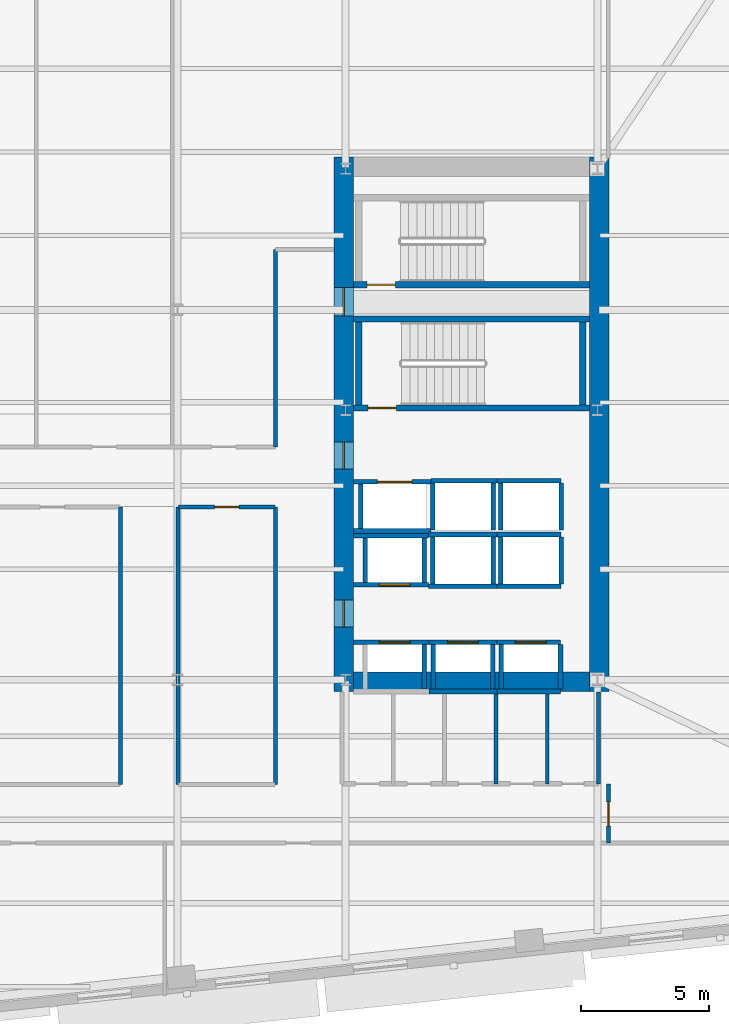
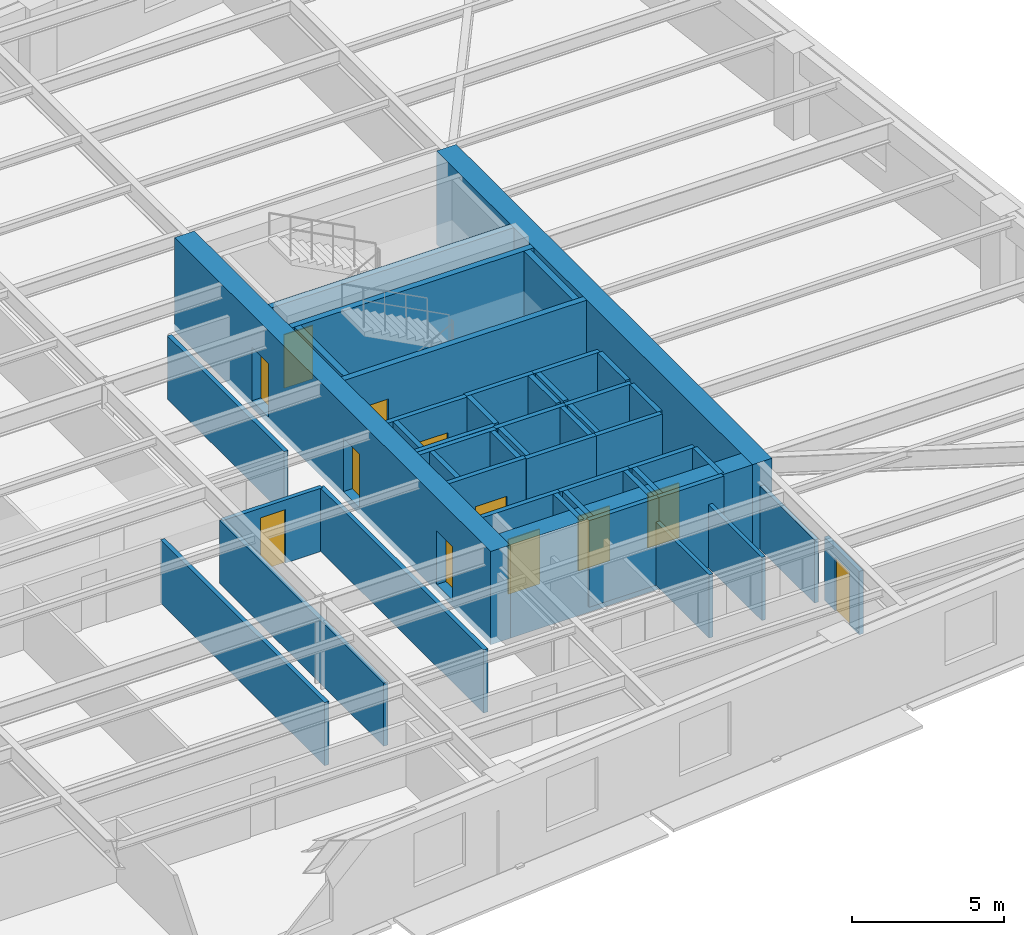
# One storey, part 6 of 15: 48 walls, 12 doors, 12 openings.
"""IFC4 building model written with IfcOpenShell, lengths in metres."""

from ifc_helpers import new_model, si_unit, direction, frame, frame_2d, origin, place, context, subcontext, project, spatial, rectangle, extrude, material, layer, layer_set, type_object, element, fill, save


model = new_model("IFC4")

# Units and contexts
model_context = context("Model", 3, precision=1e-05, world=origin(), true_north=direction((0.0, 1.0)))
body_context = subcontext(model_context, "Body", "Model", "MODEL_VIEW")
ifc_project = project(units=[si_unit("LENGTHUNIT", "METRE"), si_unit("AREAUNIT", "SQUARE_METRE"), si_unit("VOLUMEUNIT", "CUBIC_METRE"), si_unit("PLANEANGLEUNIT", "RADIAN"), si_unit("MASSUNIT", "GRAM", prefix="KILO")], contexts=[model_context])

# Site, building, storey
site_placement = place(None, origin())
site = spatial("IfcSite", under=ifc_project, at=site_placement, CompositionType="ELEMENT")
building_placement = place(site_placement, origin())
building = spatial("IfcBuilding", under=site, at=building_placement, Name="Kolvaren Arena Tower", CompositionType="ELEMENT")
storey_placement = place(building_placement, frame((0.0, 0.0, 118.449951171875)))
storey = spatial("IfcBuildingStorey", under=building, at=storey_placement, Name="L27", CompositionType="ELEMENT", Elevation=118.449951171875)

# Wall, opening, door
ifc_material_1 = material(Name="Gypsum board acoustic assembly", Category="gypsum")
ifc_layer_1 = layer(ifc_material_1, 0.159912109375)
ifc_layer_set_1 = layer_set([ifc_layer_1], Name="Gypsum board acoustic assembly")
wall_type_1 = type_object("IfcWallType", Name="CORR-160", PredefinedType="PARTITIONING", material=ifc_layer_set_1)
wall_1_placement = place(storey_placement, frame((44.0400390625, 26.179931640625, 0.0), z_axis=(0.0, 0.0, 1.0), x_axis=(1.0, 0.0, 0.0)))
wall_1 = element("IfcWall", 1, at=wall_1_placement, inside=storey, type_object=wall_type_1, Name="Interior Partition Wall (L27)", PredefinedType="PARTITIONING", context=body_context, shape_type="SweptSolid", body=[
    extrude(rectangle(XDim=3.760009765625, YDim=0.159912109375, at=frame_2d((1.8798828125, 0.0))), origin(), (0.0, 0.0, 1.0), 2.5400390625),
])
opening_1_placement = place(wall_1_placement, frame((1.405029296875, 0.0, 0.0)))
opening_1 = element("IfcOpeningElement", 2, at=opening_1_placement, cuts=wall_1, Name="Opening D05", PredefinedType="OPENING", context=body_context, shape_type="SweptSolid", body=[
    extrude(rectangle(XDim=0.949951171875, YDim=2.14990234375, at=frame_2d((0.47509765625, 1.074951171875))), frame((0.0, 0.08984375, 0.0), z_axis=(0.0, -1.0, 0.0), x_axis=(1.0, 0.0, 0.0)), (0.0, 0.0, 1.0), 0.179931640625),
])
ifc_material_2 = material(Name="Solid-core oak acoustic office door", Category="wood")
door_type_1 = type_object("IfcDoorType", Name="DOOR-OF-095", OperationType="NOTDEFINED", PredefinedType="DOOR", material=ifc_material_2)
door_1_placement = place(opening_1_placement, origin())
door_1 = element("IfcDoor", 3, at=door_1_placement, inside=storey, type_object=door_type_1, Name="Copy and Print Room Door (L27)", OperationType="SINGLE_SWING_RIGHT", OverallHeight=2.14990234375, OverallWidth=0.949951171875, PredefinedType="DOOR", context=body_context, shape_type="SweptSolid", body=[
    extrude(rectangle(XDim=0.949951171875, YDim=2.14990234375, at=frame_2d((0.47509765625, 1.074951171875))), frame((0.0, 0.02490234375, 0.0), z_axis=(0.0, -1.0, 0.0), x_axis=(1.0, 0.0, 0.0)), (0.0, 0.0, 1.0), 0.050048828125),
])
fill(opening_1, door_1)

# Walls
for number, where, z_axis, x_axis, name in (
    (4, (41.780029296875, 15.3798828125, 0.0), (0.0, 0.0, 1.0), (0.0, 1.0, 0.0), "Interior Partition Wall (L27)"),
    (5, (44.02001953125, 15.3798828125, 0.0), (0.0, 0.0, 1.0), (0.0, 1.0, 0.0), "Interior Partition Wall (L27)"),
    (6, (47.820068359375, 15.3798828125, 0.0), (0.0, 0.0, 1.0), (0.0, 1.0, 0.0), "Interior Partition Wall (L27)"),
):
    element("IfcWall", number, at=place(storey_placement, frame(where, z_axis=z_axis, x_axis=x_axis)), inside=storey, type_object=wall_type_1, Name=name, PredefinedType="PARTITIONING", context=body_context, shape_type="SweptSolid", body=[
        extrude(rectangle(XDim=10.800048828125, YDim=0.159912109375, at=frame_2d((5.39990234375, 0.0))), origin(), (0.0, 0.0, 1.0), 2.5400390625),
    ])
wall_2_placement = place(storey_placement, frame((47.820068359375, 28.52001953125, 0.0), z_axis=(0.0, 0.0, 1.0), x_axis=(0.0, 1.0, 0.0)))
element("IfcWall", 7, at=wall_2_placement, inside=storey, type_object=wall_type_1, Name="Interior Partition Wall (L27)", PredefinedType="PARTITIONING", context=body_context, shape_type="SweptSolid", body=[
    extrude(rectangle(XDim=7.679931640625, YDim=0.159912109375, at=frame_2d((3.83984375, 0.0))), origin(), (0.0, 0.0, 1.0), 2.5400390625),
])

# Wall, opening, door
wall_3_placement = place(storey_placement, frame((60.780029296875, 13.10009765625, 0.0), z_axis=(0.0, 0.0, 1.0), x_axis=(0.0, 1.0, 0.0)))
wall_3 = element("IfcWall", 8, at=wall_3_placement, inside=storey, type_object=wall_type_1, Name="Interior Partition Wall (L27)", PredefinedType="PARTITIONING", context=body_context, shape_type="SweptSolid", body=[
    extrude(rectangle(XDim=2.2998046875, YDim=0.159912109375, at=frame_2d((1.14990234375, 0.0))), origin(), (0.0, 0.0, 1.0), 2.5400390625),
])
opening_2_placement = place(wall_3_placement, frame((0.64990234375, 0.0, 0.0)))
opening_2 = element("IfcOpeningElement", 9, at=opening_2_placement, cuts=wall_3, Name="Opening D05", PredefinedType="OPENING", context=body_context, shape_type="SweptSolid", body=[
    extrude(rectangle(XDim=0.949951171875, YDim=2.14990234375, at=frame_2d((0.47509765625, 1.074951171875))), frame((0.0, 0.08984375, 0.0), z_axis=(0.0, -1.0, 0.0), x_axis=(1.0, 0.0, 0.0)), (0.0, 0.0, 1.0), 0.179931640625),
])
door_2_placement = place(opening_2_placement, origin())
door_2 = element("IfcDoor", 10, at=door_2_placement, inside=storey, type_object=door_type_1, Name="East Wing Studio Door (L27)", OperationType="SINGLE_SWING_RIGHT", OverallHeight=2.14990234375, OverallWidth=0.949951171875, PredefinedType="DOOR", context=body_context, shape_type="SweptSolid", body=[
    extrude(rectangle(XDim=0.949951171875, YDim=2.14990234375, at=frame_2d((0.47509765625, 1.074951171875))), frame((0.0, 0.02490234375, 0.0), z_axis=(0.0, -1.0, 0.0), x_axis=(1.0, 0.0, 0.0)), (0.0, 0.0, 1.0), 0.050048828125),
])
fill(opening_2, door_2)

# Wall, openings, doors
ifc_material_3 = material(Name="Concrete 70 MPa", Category="concrete")
ifc_layer_2 = layer(ifc_material_3, 0.75)
ifc_layer_set_2 = layer_set([ifc_layer_2], Name="Concrete 70 MPa")
wall_type_2 = type_object("IfcWallType", Name="CWALL-750", PredefinedType="SHEAR", material=ifc_layer_set_2)
wall_4_placement = place(storey_placement, frame((50.47509765625, 19.0, -0.27001953125), z_axis=(0.0, 0.0, 1.0), x_axis=(0.0, 1.0, 0.0)))
wall_4 = element("IfcWall", 11, at=wall_4_placement, inside=storey, type_object=wall_type_2, Name="Core Shear Wall EC-WEST (L27)", PredefinedType="SHEAR", context=body_context, shape_type="SweptSolid", body=[
    extrude(rectangle(XDim=20.800048828125, YDim=0.75, at=frame_2d((10.39990234375, 0.0))), origin(), (0.0, 0.0, 1.0), 3.75),
])
opening_3_placement = place(wall_4_placement, frame((2.5, 0.0, 0.27001953125)))
opening_3 = element("IfcOpeningElement", 12, at=opening_3_placement, cuts=wall_4, Name="Opening D04", PredefinedType="OPENING", context=body_context, shape_type="SweptSolid", body=[
    extrude(rectangle(XDim=1.050048828125, YDim=2.14990234375, at=frame_2d((0.52490234375, 1.074951171875))), frame((0.0, 0.385009765625, 0.0), z_axis=(0.0, -1.0, 0.0), x_axis=(1.0, 0.0, 0.0)), (0.0, 0.0, 1.0), 0.77001953125),
])
opening_4_placement = place(wall_4_placement, frame((8.64990234375, 0.0, 0.27001953125)))
opening_4 = element("IfcOpeningElement", 13, at=opening_4_placement, cuts=wall_4, Name="Opening D04", PredefinedType="OPENING", context=body_context, shape_type="SweptSolid", body=[
    extrude(rectangle(XDim=1.050048828125, YDim=2.14990234375, at=frame_2d((0.52490234375, 1.074951171875))), frame((0.0, 0.385009765625, 0.0), z_axis=(0.0, -1.0, 0.0), x_axis=(1.0, 0.0, 0.0)), (0.0, 0.0, 1.0), 0.77001953125),
])
opening_5_placement = place(wall_4_placement, frame((14.6201171875, 0.0, 0.27001953125)))
opening_5 = element("IfcOpeningElement", 14, at=opening_5_placement, cuts=wall_4, Name="Opening D03", PredefinedType="OPENING", context=body_context, shape_type="SweptSolid", body=[
    extrude(rectangle(XDim=1.10009765625, YDim=2.14990234375, at=frame_2d((0.550048828125, 1.074951171875))), frame((0.0, 0.385009765625, 0.0), z_axis=(0.0, -1.0, 0.0), x_axis=(1.0, 0.0, 0.0)), (0.0, 0.0, 1.0), 0.77001953125),
])
ifc_material_4 = material(Name="Fire-rated steel lobby door", Category="steel")
door_type_2 = type_object("IfcDoorType", Name="DOOR-FF-105", OperationType="NOTDEFINED", PredefinedType="DOOR", material=ifc_material_4)
door_3_placement = place(opening_3_placement, origin())
door_3 = element("IfcDoor", 15, at=door_3_placement, inside=storey, type_object=door_type_2, Name="East Lift Lobby Fire Door (L27)", OperationType="SINGLE_SWING_RIGHT", OverallHeight=2.14990234375, OverallWidth=1.050048828125, PredefinedType="DOOR", context=body_context, shape_type="SweptSolid", body=[
    extrude(rectangle(XDim=1.050048828125, YDim=2.14990234375, at=frame_2d((0.52490234375, 1.074951171875))), frame((0.0, 0.02490234375, 0.0), z_axis=(0.0, -1.0, 0.0), x_axis=(1.0, 0.0, 0.0)), (0.0, 0.0, 1.0), 0.050048828125),
])
fill(opening_3, door_3)
door_4_placement = place(opening_4_placement, origin())
door_4 = element("IfcDoor", 16, at=door_4_placement, inside=storey, type_object=door_type_2, Name="East Firefighter Vestibule Door (L27)", OperationType="SINGLE_SWING_LEFT", OverallHeight=2.14990234375, OverallWidth=1.050048828125, PredefinedType="DOOR", context=body_context, shape_type="SweptSolid", body=[
    extrude(rectangle(XDim=1.050048828125, YDim=2.14990234375, at=frame_2d((0.52490234375, 1.074951171875))), frame((0.0, 0.02490234375, 0.0), z_axis=(0.0, -1.0, 0.0), x_axis=(1.0, 0.0, 0.0)), (0.0, 0.0, 1.0), 0.050048828125),
])
fill(opening_4, door_4)
ifc_material_5 = material(Name="Fire-rated steel exit stair door", Category="steel")
door_type_3 = type_object("IfcDoorType", Name="DOOR-ST-110", OperationType="NOTDEFINED", PredefinedType="DOOR", material=ifc_material_5)
door_5_placement = place(opening_5_placement, origin())
door_5 = element("IfcDoor", 17, at=door_5_placement, inside=storey, type_object=door_type_3, Name="Stair ST-E2 Vestibule Fire Door (L27)", OperationType="SINGLE_SWING_LEFT", OverallHeight=2.14990234375, OverallWidth=1.10009765625, PredefinedType="DOOR", context=body_context, shape_type="SweptSolid", body=[
    extrude(rectangle(XDim=1.10009765625, YDim=2.14990234375, at=frame_2d((0.550048828125, 1.074951171875))), frame((0.0, 0.02490234375, 0.0), z_axis=(0.0, -1.0, 0.0), x_axis=(1.0, 0.0, 0.0)), (0.0, 0.0, 1.0), 0.050048828125),
])
fill(opening_5, door_5)

# Walls
wall_5_placement = place(storey_placement, frame((60.425048828125, 19.0, -0.27001953125), z_axis=(0.0, 0.0, 1.0), x_axis=(0.0, 1.0, 0.0)))
element("IfcWall", 18, at=wall_5_placement, inside=storey, type_object=wall_type_2, Name="Core Shear Wall EC-EAST (L27)", PredefinedType="SHEAR", context=body_context, shape_type="SweptSolid", body=[
    extrude(rectangle(XDim=20.800048828125, YDim=0.75, at=frame_2d((10.39990234375, 0.0))), origin(), (0.0, 0.0, 1.0), 3.75),
])
wall_6_placement = place(storey_placement, frame((50.85009765625, 19.375, -0.27001953125), z_axis=(0.0, 0.0, 1.0), x_axis=(1.0, 0.0, 0.0)))
element("IfcWall", 19, at=wall_6_placement, inside=storey, type_object=wall_type_2, Name="Core Shear Wall EC-SOUTH (L27)", PredefinedType="SHEAR", context=body_context, shape_type="SweptSolid", body=[
    extrude(rectangle(XDim=9.199951171875, YDim=0.75, at=frame_2d((4.60009765625, 0.0))), origin(), (0.0, 0.0, 1.0), 3.75),
])

# Wall, opening, door
ifc_material_6 = material(Name="Concrete 45 MPa", Category="concrete")
ifc_layer_3 = layer(ifc_material_6, 0.25)
ifc_layer_set_3 = layer_set([ifc_layer_3], Name="Concrete 45 MPa")
wall_type_3 = type_object("IfcWallType", Name="SHAFT-250", PredefinedType="SOLIDWALL", material=ifc_layer_set_3)
wall_7_placement = place(storey_placement, frame((60.050048828125, 30.030029296875, 0.0), z_axis=(0.0, 0.0, 1.0), x_axis=(-1.0, 0.0, 0.0)))
wall_7 = element("IfcWall", 20, at=wall_7_placement, inside=storey, type_object=wall_type_3, Name="Core Shaft Wall (L27)", PredefinedType="SOLIDWALL", context=body_context, shape_type="SweptSolid", body=[
    extrude(rectangle(XDim=9.199951171875, YDim=0.239990234375, at=frame_2d((4.60009765625, 0.0))), origin(), (0.0, 0.0, 1.0), 3.47998046875),
])
opening_6_placement = place(wall_7_placement, frame((7.530029296875, 0.0, 0.0)))
opening_6 = element("IfcOpeningElement", 21, at=opening_6_placement, cuts=wall_7, Name="Opening D03", PredefinedType="OPENING", context=body_context, shape_type="SweptSolid", body=[
    extrude(rectangle(XDim=1.10009765625, YDim=2.14990234375, at=frame_2d((0.550048828125, 1.074951171875))), frame((0.0, 0.1298828125, 0.0), z_axis=(0.0, -1.0, 0.0), x_axis=(1.0, 0.0, 0.0)), (0.0, 0.0, 1.0), 0.260009765625),
])
door_6_placement = place(opening_6_placement, origin())
door_6 = element("IfcDoor", 22, at=door_6_placement, inside=storey, type_object=door_type_3, Name="Stair ST-E1 Fire Door (L27)", OperationType="SINGLE_SWING_LEFT", OverallHeight=2.14990234375, OverallWidth=1.10009765625, PredefinedType="DOOR", context=body_context, shape_type="SweptSolid", body=[
    extrude(rectangle(XDim=1.10009765625, YDim=2.14990234375, at=frame_2d((0.550048828125, 1.074951171875))), frame((0.0, 0.02490234375, 0.0), z_axis=(0.0, -1.0, 0.0), x_axis=(1.0, 0.0, 0.0)), (0.0, 0.0, 1.0), 0.050048828125),
])
fill(opening_6, door_6)

# Walls
wall_8_placement = place(storey_placement, frame((50.85009765625, 33.5, 0.0), z_axis=(0.0, 0.0, 1.0), x_axis=(1.0, 0.0, 0.0)))
element("IfcWall", 23, at=wall_8_placement, inside=storey, type_object=wall_type_3, Name="Core Shaft Wall (L27)", PredefinedType="SOLIDWALL", context=body_context, shape_type="SweptSolid", body=[
    extrude(rectangle(XDim=9.199951171875, YDim=0.239990234375, at=frame_2d((4.60009765625, 0.0))), origin(), (0.0, 0.0, 1.0), 3.47998046875),
])
for number, where, z_axis, x_axis, name in (
    (24, (51.06005859375, 30.14990234375, 0.0), (0.0, 0.0, 1.0), (0.0, 1.0, 0.0), "Core Shaft Wall (L27)"),
    (25, (59.780029296875, 30.14990234375, 0.0), (0.0, 0.0, 1.0), (0.0, 1.0, 0.0), "Core Shaft Wall (L27)"),
):
    element("IfcWall", number, at=place(storey_placement, frame(where, z_axis=z_axis, x_axis=x_axis)), inside=storey, type_object=wall_type_3, Name=name, PredefinedType="SOLIDWALL", context=body_context, shape_type="SweptSolid", body=[
        extrude(rectangle(XDim=3.22998046875, YDim=0.239990234375, at=frame_2d((1.614990234375, 0.0))), origin(), (0.0, 0.0, 1.0), 3.47998046875),
    ])

# Wall, opening, door
wall_9_placement = place(storey_placement, frame((60.050048828125, 34.830078125, 0.0), z_axis=(0.0, 0.0, 1.0), x_axis=(-1.0, 0.0, 0.0)))
wall_9 = element("IfcWall", 26, at=wall_9_placement, inside=storey, type_object=wall_type_3, Name="Core Shaft Wall (L27)", PredefinedType="SOLIDWALL", context=body_context, shape_type="SweptSolid", body=[
    extrude(rectangle(XDim=9.199951171875, YDim=0.239990234375, at=frame_2d((4.60009765625, 0.0))), origin(), (0.0, 0.0, 1.0), 3.47998046875),
])
opening_7_placement = place(wall_9_placement, frame((7.570068359375, 0.0, 0.0)))
opening_7 = element("IfcOpeningElement", 27, at=opening_7_placement, cuts=wall_9, Name="Opening D03", PredefinedType="OPENING", context=body_context, shape_type="SweptSolid", body=[
    extrude(rectangle(XDim=1.10009765625, YDim=2.14990234375, at=frame_2d((0.550048828125, 1.074951171875))), frame((0.0, 0.1298828125, 0.0), z_axis=(0.0, -1.0, 0.0), x_axis=(1.0, 0.0, 0.0)), (0.0, 0.0, 1.0), 0.260009765625),
])
door_7_placement = place(opening_7_placement, origin())
door_7 = element("IfcDoor", 28, at=door_7_placement, inside=storey, type_object=door_type_3, Name="Stair ST-E2 Fire Door (L27)", OperationType="SINGLE_SWING_LEFT", OverallHeight=2.14990234375, OverallWidth=1.10009765625, PredefinedType="DOOR", context=body_context, shape_type="SweptSolid", body=[
    extrude(rectangle(XDim=1.10009765625, YDim=2.14990234375, at=frame_2d((0.550048828125, 1.074951171875))), frame((0.0, 0.02490234375, 0.0), z_axis=(0.0, -1.0, 0.0), x_axis=(1.0, 0.0, 0.0)), (0.0, 0.0, 1.0), 0.050048828125),
])
fill(opening_7, door_7)

wall_10_placement = place(storey_placement, frame((50.85009765625, 20.905029296875, 0.0), z_axis=(0.0, 0.0, 1.0), x_axis=(1.0, 0.0, 0.0)))
wall_10 = element("IfcWall", 29, at=wall_10_placement, inside=storey, type_object=wall_type_3, Name="Core Shaft Wall (L27)", PredefinedType="SOLIDWALL", context=body_context, shape_type="SweptSolid", body=[
    extrude(rectangle(XDim=2.93994140625, YDim=0.179931640625, at=frame_2d((1.469970703125, 0.0))), origin(), (0.0, 0.0, 1.0), 3.47998046875),
])
opening_8_placement = place(wall_10_placement, frame((1.010009765625, 0.0, 0.0)))
opening_8 = element("IfcOpeningElement", 30, at=opening_8_placement, cuts=wall_10, Name="Opening LD1", PredefinedType="OPENING", context=body_context, shape_type="SweptSolid", body=[
    extrude(rectangle(XDim=1.199951171875, YDim=2.199951171875, at=frame_2d((0.60009765625, 1.10009765625))), frame((0.0, 0.099853515625, 0.0), z_axis=(0.0, -1.0, 0.0), x_axis=(1.0, 0.0, 0.0)), (0.0, 0.0, 1.0), 0.199951171875),
])
ifc_material_7 = material(Name="Stainless steel passenger lift landing door", Category="steel")
door_type_4 = type_object("IfcDoorType", Name="DOOR-LD-120", OperationType="DOUBLE_DOOR_SLIDING", PredefinedType="DOOR", material=ifc_material_7)
door_8_placement = place(opening_8_placement, origin())
door_8 = element("IfcDoor", 31, at=door_8_placement, inside=storey, type_object=door_type_4, Name="Lift EL-LR1 Landing Door (L27)", OperationType="DOUBLE_DOOR_SLIDING", OverallHeight=2.199951171875, OverallWidth=1.199951171875, PredefinedType="DOOR", context=body_context, shape_type="SweptSolid", body=[
    extrude(rectangle(XDim=1.199951171875, YDim=2.199951171875, at=frame_2d((0.60009765625, 1.10009765625))), frame((0.0, 0.02490234375, 0.0), z_axis=(0.0, -1.0, 0.0), x_axis=(1.0, 0.0, 0.0)), (0.0, 0.0, 1.0), 0.050048828125),
])
fill(opening_8, door_8)

# Wall
wall_11_placement = place(storey_placement, frame((53.614990234375, 19.0849609375, 0.0), z_axis=(0.0, 0.0, 1.0), x_axis=(0.0, 1.0, 0.0)))
element("IfcWall", 32, at=wall_11_placement, inside=storey, type_object=wall_type_3, Name="Core Shaft Wall (L27)", PredefinedType="SOLIDWALL", context=body_context, shape_type="SweptSolid", body=[
    extrude(rectangle(XDim=1.72998046875, YDim=0.179931640625, at=frame_2d((0.864990234375, 0.0))), origin(), (0.0, 0.0, 1.0), 3.47998046875),
])

# Wall, opening, door
wall_12_placement = place(storey_placement, frame((53.7900390625, 20.905029296875, 0.0), z_axis=(0.0, 0.0, 1.0), x_axis=(1.0, 0.0, 0.0)))
wall_12 = element("IfcWall", 33, at=wall_12_placement, inside=storey, type_object=wall_type_3, Name="Core Shaft Wall (L27)", PredefinedType="SOLIDWALL", context=body_context, shape_type="SweptSolid", body=[
    extrude(rectangle(XDim=2.64990234375, YDim=0.179931640625, at=frame_2d((1.324951171875, 0.0))), origin(), (0.0, 0.0, 1.0), 3.47998046875),
])
opening_9_placement = place(wall_12_placement, frame((0.72998046875, 0.0, 0.0)))
opening_9 = element("IfcOpeningElement", 34, at=opening_9_placement, cuts=wall_12, Name="Opening LD1", PredefinedType="OPENING", context=body_context, shape_type="SweptSolid", body=[
    extrude(rectangle(XDim=1.199951171875, YDim=2.199951171875, at=frame_2d((0.60009765625, 1.10009765625))), frame((0.0, 0.099853515625, 0.0), z_axis=(0.0, -1.0, 0.0), x_axis=(1.0, 0.0, 0.0)), (0.0, 0.0, 1.0), 0.199951171875),
])
door_9_placement = place(opening_9_placement, origin())
door_9 = element("IfcDoor", 35, at=door_9_placement, inside=storey, type_object=door_type_4, Name="Lift EL-LR2 Landing Door (L27)", OperationType="DOUBLE_DOOR_SLIDING", OverallHeight=2.199951171875, OverallWidth=1.199951171875, PredefinedType="DOOR", context=body_context, shape_type="SweptSolid", body=[
    extrude(rectangle(XDim=1.199951171875, YDim=2.199951171875, at=frame_2d((0.60009765625, 1.10009765625))), frame((0.0, 0.02490234375, 0.0), z_axis=(0.0, -1.0, 0.0), x_axis=(1.0, 0.0, 0.0)), (0.0, 0.0, 1.0), 0.050048828125),
])
fill(opening_9, door_9)

# Walls
wall_13_placement = place(storey_placement, frame((53.7900390625, 18.9951171875, 0.0), z_axis=(0.0, 0.0, 1.0), x_axis=(1.0, 0.0, 0.0)))
element("IfcWall", 36, at=wall_13_placement, inside=storey, type_object=wall_type_3, Name="Core Shaft Wall (L27)", PredefinedType="SOLIDWALL", context=body_context, shape_type="SweptSolid", body=[
    extrude(rectangle(XDim=2.64990234375, YDim=0.179931640625, at=frame_2d((1.324951171875, 0.0))), origin(), (0.0, 0.0, 1.0), 3.47998046875),
])
for number, where, z_axis, x_axis, name in (
    (37, (53.965087890625, 19.0849609375, 0.0), (0.0, 0.0, 1.0), (0.0, 1.0, 0.0), "Core Shaft Wall (L27)"),
    (38, (56.27490234375, 19.0849609375, 0.0), (0.0, 0.0, 1.0), (0.0, 1.0, 0.0), "Core Shaft Wall (L27)"),
):
    element("IfcWall", number, at=place(storey_placement, frame(where, z_axis=z_axis, x_axis=x_axis)), inside=storey, type_object=wall_type_3, Name=name, PredefinedType="SOLIDWALL", context=body_context, shape_type="SweptSolid", body=[
        extrude(rectangle(XDim=1.72998046875, YDim=0.179931640625, at=frame_2d((0.864990234375, 0.0))), origin(), (0.0, 0.0, 1.0), 3.47998046875),
    ])

# Wall, opening, door
wall_14_placement = place(storey_placement, frame((56.43994140625, 20.905029296875, 0.0), z_axis=(0.0, 0.0, 1.0), x_axis=(1.0, 0.0, 0.0)))
wall_14 = element("IfcWall", 39, at=wall_14_placement, inside=storey, type_object=wall_type_3, Name="Core Shaft Wall (L27)", PredefinedType="SOLIDWALL", context=body_context, shape_type="SweptSolid", body=[
    extrude(rectangle(XDim=2.47509765625, YDim=0.179931640625, at=frame_2d((1.237548828125, 0.0))), origin(), (0.0, 0.0, 1.0), 3.47998046875),
])
opening_10_placement = place(wall_14_placement, frame((0.719970703125, 0.0, 0.0)))
opening_10 = element("IfcOpeningElement", 40, at=opening_10_placement, cuts=wall_14, Name="Opening LD1", PredefinedType="OPENING", context=body_context, shape_type="SweptSolid", body=[
    extrude(rectangle(XDim=1.199951171875, YDim=2.199951171875, at=frame_2d((0.60009765625, 1.10009765625))), frame((0.0, 0.099853515625, 0.0), z_axis=(0.0, -1.0, 0.0), x_axis=(1.0, 0.0, 0.0)), (0.0, 0.0, 1.0), 0.199951171875),
])
door_10_placement = place(opening_10_placement, origin())
door_10 = element("IfcDoor", 41, at=door_10_placement, inside=storey, type_object=door_type_4, Name="Lift EL-LR3 Landing Door (L27)", OperationType="DOUBLE_DOOR_SLIDING", OverallHeight=2.199951171875, OverallWidth=1.199951171875, PredefinedType="DOOR", context=body_context, shape_type="SweptSolid", body=[
    extrude(rectangle(XDim=1.199951171875, YDim=2.199951171875, at=frame_2d((0.60009765625, 1.10009765625))), frame((0.0, 0.02490234375, 0.0), z_axis=(0.0, -1.0, 0.0), x_axis=(1.0, 0.0, 0.0)), (0.0, 0.0, 1.0), 0.050048828125),
])
fill(opening_10, door_10)

# Walls
wall_15_placement = place(storey_placement, frame((56.43994140625, 18.9951171875, 0.0), z_axis=(0.0, 0.0, 1.0), x_axis=(1.0, 0.0, 0.0)))
element("IfcWall", 42, at=wall_15_placement, inside=storey, type_object=wall_type_3, Name="Core Shaft Wall (L27)", PredefinedType="SOLIDWALL", context=body_context, shape_type="SweptSolid", body=[
    extrude(rectangle(XDim=2.47509765625, YDim=0.179931640625, at=frame_2d((1.237548828125, 0.0))), origin(), (0.0, 0.0, 1.0), 3.47998046875),
])
for number, where, z_axis, x_axis, name in (
    (43, (56.60498046875, 19.0849609375, 0.0), (0.0, 0.0, 1.0), (0.0, 1.0, 0.0), "Core Shaft Wall (L27)"),
    (44, (58.9150390625, 19.0849609375, 0.0), (0.0, 0.0, 1.0), (0.0, 1.0, 0.0), "Core Shaft Wall (L27)"),
):
    element("IfcWall", number, at=place(storey_placement, frame(where, z_axis=z_axis, x_axis=x_axis)), inside=storey, type_object=wall_type_3, Name=name, PredefinedType="SOLIDWALL", context=body_context, shape_type="SweptSolid", body=[
        extrude(rectangle(XDim=1.72998046875, YDim=0.179931640625, at=frame_2d((0.864990234375, 0.0))), origin(), (0.0, 0.0, 1.0), 3.47998046875),
    ])
wall_16_placement = place(storey_placement, frame((50.85009765625, 25.054931640625, 0.0), z_axis=(0.0, 0.0, 1.0), x_axis=(1.0, 0.0, 0.0)))
element("IfcWall", 45, at=wall_16_placement, inside=storey, type_object=wall_type_3, Name="Core Shaft Wall (L27)", PredefinedType="SOLIDWALL", context=body_context, shape_type="SweptSolid", body=[
    extrude(rectangle(XDim=2.927490234375, YDim=0.179931640625, at=frame_2d((1.4638671875, 0.0))), origin(), (0.0, 0.0, 1.0), 3.47998046875),
])

# Wall, opening, door
wall_17_placement = place(storey_placement, frame((50.85009765625, 23.14501953125, 0.0), z_axis=(0.0, 0.0, 1.0), x_axis=(1.0, 0.0, 0.0)))
wall_17 = element("IfcWall", 46, at=wall_17_placement, inside=storey, type_object=wall_type_3, Name="Core Shaft Wall (L27)", PredefinedType="SOLIDWALL", context=body_context, shape_type="SweptSolid", body=[
    extrude(rectangle(XDim=2.927490234375, YDim=0.179931640625, at=frame_2d((1.4638671875, 0.0))), origin(), (0.0, 0.0, 1.0), 3.47998046875),
])
opening_11_placement = place(wall_17_placement, frame((1.010009765625, 0.0, 0.0)))
opening_11 = element("IfcOpeningElement", 47, at=opening_11_placement, cuts=wall_17, Name="Opening LD1", PredefinedType="OPENING", context=body_context, shape_type="SweptSolid", body=[
    extrude(rectangle(XDim=1.199951171875, YDim=2.199951171875, at=frame_2d((0.60009765625, 1.10009765625))), frame((0.0, 0.099853515625, 0.0), z_axis=(0.0, -1.0, 0.0), x_axis=(1.0, 0.0, 0.0)), (0.0, 0.0, 1.0), 0.199951171875),
])
door_11_placement = place(opening_11_placement, origin())
door_11 = element("IfcDoor", 48, at=door_11_placement, inside=storey, type_object=door_type_4, Name="Lift EL-LR4 Landing Door (L27)", OperationType="DOUBLE_DOOR_SLIDING", OverallHeight=2.199951171875, OverallWidth=1.199951171875, PredefinedType="DOOR", context=body_context, shape_type="SweptSolid", body=[
    extrude(rectangle(XDim=1.199951171875, YDim=2.199951171875, at=frame_2d((0.60009765625, 1.10009765625))), frame((0.0, 0.02490234375, 0.0), z_axis=(0.0, -1.0, 0.0), x_axis=(1.0, 0.0, 0.0)), (0.0, 0.0, 1.0), 0.050048828125),
])
fill(opening_11, door_11)

# Walls
for number, where, z_axis, x_axis, name in (
    (49, (51.304931640625, 23.235107421875, 0.0), (0.0, 0.0, 1.0), (0.0, 1.0, 0.0), "Core Shaft Wall (L27)"),
    (50, (53.614990234375, 23.235107421875, 0.0), (0.0, 0.0, 1.0), (0.0, 1.0, 0.0), "Core Shaft Wall (L27)"),
):
    element("IfcWall", number, at=place(storey_placement, frame(where, z_axis=z_axis, x_axis=x_axis)), inside=storey, type_object=wall_type_3, Name=name, PredefinedType="SOLIDWALL", context=body_context, shape_type="SweptSolid", body=[
        extrude(rectangle(XDim=1.72998046875, YDim=0.179931640625, at=frame_2d((0.864990234375, 0.0))), origin(), (0.0, 0.0, 1.0), 3.47998046875),
    ])
for number, where, z_axis, x_axis, name in (
    (51, (53.777587890625, 25.10498046875, 0.0), (0.0, 0.0, 1.0), (1.0, 0.0, 0.0), "Core Shaft Wall (L27)"),
    (52, (53.777587890625, 23.094970703125, 0.0), (0.0, 0.0, 1.0), (1.0, 0.0, 0.0), "Core Shaft Wall (L27)"),
):
    element("IfcWall", number, at=place(storey_placement, frame(where, z_axis=z_axis, x_axis=x_axis)), inside=storey, type_object=wall_type_3, Name=name, PredefinedType="SOLIDWALL", context=body_context, shape_type="SweptSolid", body=[
        extrude(rectangle(XDim=2.662353515625, YDim=0.179931640625, at=frame_2d((1.3310546875, 0.0))), origin(), (0.0, 0.0, 1.0), 3.47998046875),
    ])
for number, where, z_axis, x_axis, name in (
    (53, (53.93994140625, 23.18505859375, 0.0), (0.0, 0.0, 1.0), (0.0, 1.0, 0.0), "Core Shaft Wall (L27)"),
    (54, (56.300048828125, 23.18505859375, 0.0), (0.0, 0.0, 1.0), (0.0, 1.0, 0.0), "Core Shaft Wall (L27)"),
):
    element("IfcWall", number, at=place(storey_placement, frame(where, z_axis=z_axis, x_axis=x_axis)), inside=storey, type_object=wall_type_3, Name=name, PredefinedType="SOLIDWALL", context=body_context, shape_type="SweptSolid", body=[
        extrude(rectangle(XDim=1.829833984375, YDim=0.179931640625, at=frame_2d((0.9150390625, 0.0))), origin(), (0.0, 0.0, 1.0), 3.47998046875),
    ])
for number, where, z_axis, x_axis, name in (
    (55, (56.43994140625, 25.10498046875, 0.0), (0.0, 0.0, 1.0), (1.0, 0.0, 0.0), "Core Shaft Wall (L27)"),
    (56, (56.43994140625, 23.094970703125, 0.0), (0.0, 0.0, 1.0), (1.0, 0.0, 0.0), "Core Shaft Wall (L27)"),
):
    element("IfcWall", number, at=place(storey_placement, frame(where, z_axis=z_axis, x_axis=x_axis)), inside=storey, type_object=wall_type_3, Name=name, PredefinedType="SOLIDWALL", context=body_context, shape_type="SweptSolid", body=[
        extrude(rectangle(XDim=2.5, YDim=0.179931640625, at=frame_2d((1.25, 0.0))), origin(), (0.0, 0.0, 1.0), 3.47998046875),
    ])
for number, where, z_axis, x_axis, name in (
    (57, (56.580078125, 23.18505859375, 0.0), (0.0, 0.0, 1.0), (0.0, 1.0, 0.0), "Core Shaft Wall (L27)"),
    (58, (58.93994140625, 23.18505859375, 0.0), (0.0, 0.0, 1.0), (0.0, 1.0, 0.0), "Core Shaft Wall (L27)"),
):
    element("IfcWall", number, at=place(storey_placement, frame(where, z_axis=z_axis, x_axis=x_axis)), inside=storey, type_object=wall_type_3, Name=name, PredefinedType="SOLIDWALL", context=body_context, shape_type="SweptSolid", body=[
        extrude(rectangle(XDim=1.829833984375, YDim=0.179931640625, at=frame_2d((0.9150390625, 0.0))), origin(), (0.0, 0.0, 1.0), 3.47998046875),
    ])
wall_18_placement = place(storey_placement, frame((53.864990234375, 27.205078125, 0.0), z_axis=(0.0, 0.0, 1.0), x_axis=(1.0, 0.0, 0.0)))
element("IfcWall", 59, at=wall_18_placement, inside=storey, type_object=wall_type_3, Name="Core Shaft Wall (L27)", PredefinedType="SOLIDWALL", context=body_context, shape_type="SweptSolid", body=[
    extrude(rectangle(XDim=2.574951171875, YDim=0.179931640625, at=frame_2d((1.28759765625, 0.0))), origin(), (0.0, 0.0, 1.0), 3.47998046875),
])
for number, where, z_axis, x_axis, name in (
    (60, (53.93994140625, 25.284912109375, 0.0), (0.0, 0.0, 1.0), (0.0, 1.0, 0.0), "Core Shaft Wall (L27)"),
    (61, (56.300048828125, 25.284912109375, 0.0), (0.0, 0.0, 1.0), (0.0, 1.0, 0.0), "Core Shaft Wall (L27)"),
):
    element("IfcWall", number, at=place(storey_placement, frame(where, z_axis=z_axis, x_axis=x_axis)), inside=storey, type_object=wall_type_3, Name=name, PredefinedType="SOLIDWALL", context=body_context, shape_type="SweptSolid", body=[
        extrude(rectangle(XDim=1.830078125, YDim=0.179931640625, at=frame_2d((0.9150390625, 0.0))), origin(), (0.0, 0.0, 1.0), 3.47998046875),
    ])
wall_19_placement = place(storey_placement, frame((56.43994140625, 27.205078125, 0.0), z_axis=(0.0, 0.0, 1.0), x_axis=(1.0, 0.0, 0.0)))
element("IfcWall", 62, at=wall_19_placement, inside=storey, type_object=wall_type_3, Name="Core Shaft Wall (L27)", PredefinedType="SOLIDWALL", context=body_context, shape_type="SweptSolid", body=[
    extrude(rectangle(XDim=2.5, YDim=0.179931640625, at=frame_2d((1.25, 0.0))), origin(), (0.0, 0.0, 1.0), 3.47998046875),
])
for number, where, z_axis, x_axis, name in (
    (63, (56.580078125, 25.284912109375, 0.0), (0.0, 0.0, 1.0), (0.0, 1.0, 0.0), "Core Shaft Wall (L27)"),
    (64, (58.93994140625, 25.284912109375, 0.0), (0.0, 0.0, 1.0), (0.0, 1.0, 0.0), "Core Shaft Wall (L27)"),
):
    element("IfcWall", number, at=place(storey_placement, frame(where, z_axis=z_axis, x_axis=x_axis)), inside=storey, type_object=wall_type_3, Name=name, PredefinedType="SOLIDWALL", context=body_context, shape_type="SweptSolid", body=[
        extrude(rectangle(XDim=1.830078125, YDim=0.179931640625, at=frame_2d((0.9150390625, 0.0))), origin(), (0.0, 0.0, 1.0), 3.47998046875),
    ])

# Wall, opening, door
wall_20_placement = place(storey_placement, frame((50.85009765625, 27.155029296875, 0.0), z_axis=(0.0, 0.0, 1.0), x_axis=(1.0, 0.0, 0.0)))
wall_20 = element("IfcWall", 65, at=wall_20_placement, inside=storey, type_object=wall_type_3, Name="Core Shaft Wall (L27)", PredefinedType="SOLIDWALL", context=body_context, shape_type="SweptSolid", body=[
    extrude(rectangle(XDim=3.014892578125, YDim=0.179931640625, at=frame_2d((1.50732421875, 0.0))), origin(), (0.0, 0.0, 1.0), 3.47998046875),
])
opening_12_placement = place(wall_20_placement, frame((0.93505859375, 0.0, 0.0)))
opening_12 = element("IfcOpeningElement", 66, at=opening_12_placement, cuts=wall_20, Name="Opening LD2", PredefinedType="OPENING", context=body_context, shape_type="SweptSolid", body=[
    extrude(rectangle(XDim=1.35009765625, YDim=2.300048828125, at=frame_2d((0.675048828125, 1.14990234375))), frame((0.0, 0.099853515625, 0.0), z_axis=(0.0, -1.0, 0.0), x_axis=(1.0, 0.0, 0.0)), (0.0, 0.0, 1.0), 0.199951171875),
])
ifc_material_8 = material(Name="Stainless steel firefighter lift landing door", Category="steel")
door_type_5 = type_object("IfcDoorType", Name="DOOR-LD-135", OperationType="DOUBLE_DOOR_SLIDING", PredefinedType="DOOR", material=ifc_material_8)
door_12_placement = place(opening_12_placement, origin())
door_12 = element("IfcDoor", 67, at=door_12_placement, inside=storey, type_object=door_type_5, Name="Firefighter Lift FF-E1 Landing Door (L27)", OperationType="DOUBLE_DOOR_SLIDING", OverallHeight=2.300048828125, OverallWidth=1.35009765625, PredefinedType="DOOR", context=body_context, shape_type="SweptSolid", body=[
    extrude(rectangle(XDim=1.35009765625, YDim=2.300048828125, at=frame_2d((0.675048828125, 1.14990234375))), frame((0.0, 0.02490234375, 0.0), z_axis=(0.0, -1.0, 0.0), x_axis=(1.0, 0.0, 0.0)), (0.0, 0.0, 1.0), 0.050048828125),
])
fill(opening_12, door_12)

# Walls
wall_21_placement = place(storey_placement, frame((50.85009765625, 25.2451171875, 0.0), z_axis=(0.0, 0.0, 1.0), x_axis=(1.0, 0.0, 0.0)))
element("IfcWall", 68, at=wall_21_placement, inside=storey, type_object=wall_type_3, Name="Core Shaft Wall (L27)", PredefinedType="SOLIDWALL", context=body_context, shape_type="SweptSolid", body=[
    extrude(rectangle(XDim=3.014892578125, YDim=0.179931640625, at=frame_2d((1.50732421875, 0.0))), origin(), (0.0, 0.0, 1.0), 3.47998046875),
])
wall_22_placement = place(storey_placement, frame((51.1298828125, 25.3349609375, 0.0), z_axis=(0.0, 0.0, 1.0), x_axis=(0.0, 1.0, 0.0)))
element("IfcWall", 69, at=wall_22_placement, inside=storey, type_object=wall_type_3, Name="Core Shaft Wall (L27)", PredefinedType="SOLIDWALL", context=body_context, shape_type="SweptSolid", body=[
    extrude(rectangle(XDim=1.72998046875, YDim=0.179931640625, at=frame_2d((0.864990234375, 0.0))), origin(), (0.0, 0.0, 1.0), 3.47998046875),
])
ifc_material_9 = material(Name="Moisture-resistant gypsum assembly", Category="gypsum")
ifc_layer_4 = layer(ifc_material_9, 0.14990234375)
ifc_layer_set_4 = layer_set([ifc_layer_4], Name="Moisture-resistant gypsum assembly")
wall_type_4 = type_object("IfcWallType", Name="WETW-150", PredefinedType="PARTITIONING", material=ifc_layer_set_4)
for number, where, z_axis, x_axis, name in (
    (70, (56.39990234375, 15.39990234375, 0.0), (0.0, 0.0, 1.0), (0.0, 1.0, 0.0), "Interior Partition Wall (L27)"),
    (71, (58.39990234375, 15.39990234375, 0.0), (0.0, 0.0, 1.0), (0.0, 1.0, 0.0), "Interior Partition Wall (L27)"),
    (72, (60.39990234375, 15.39990234375, 0.0), (0.0, 0.0, 1.0), (0.0, 1.0, 0.0), "Interior Partition Wall (L27)"),
):
    element("IfcWall", number, at=place(storey_placement, frame(where, z_axis=z_axis, x_axis=x_axis)), inside=storey, type_object=wall_type_4, Name=name, PredefinedType="PARTITIONING", context=body_context, shape_type="SweptSolid", body=[
        extrude(rectangle(XDim=3.580078125, YDim=0.14990234375, at=frame_2d((1.7900390625, 0.0))), origin(), (0.0, 0.0, 1.0), 2.5400390625),
    ])

save(model, "model.ifc")
